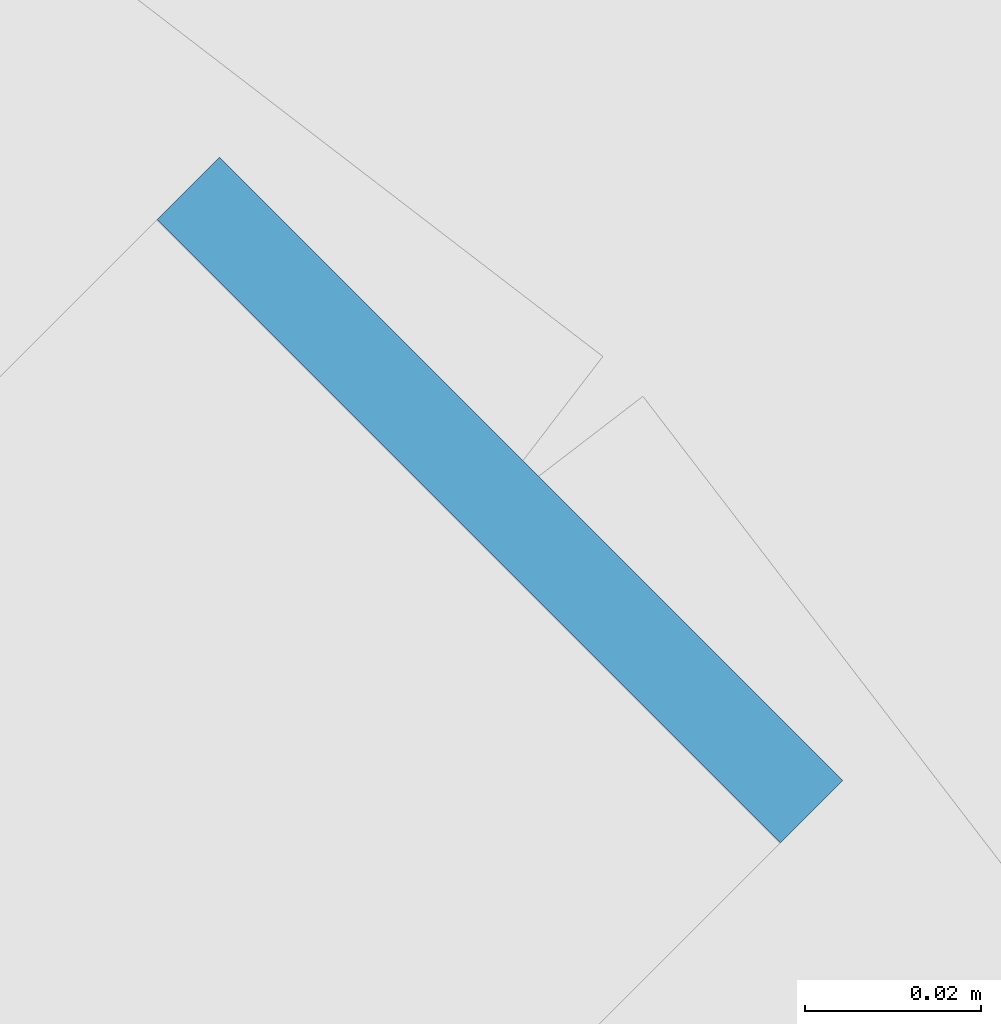
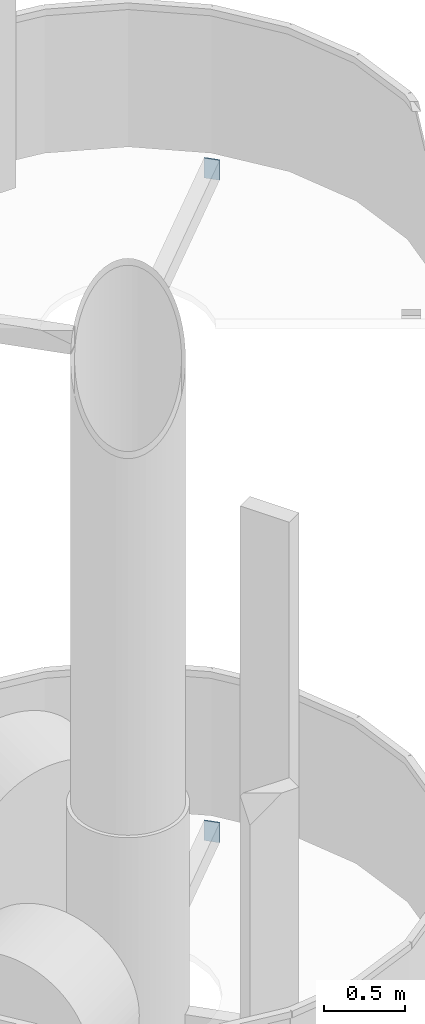
# One storey, part 22 of 25: 2 discrete accessories.
"""IFC4 building model written with IfcOpenShell, lengths in metres."""

from ifc_helpers import new_model, si_unit, direction, frame, origin, origin_2d, place, context, subcontext, project, spatial, rectangle, extrude, element, save


model = new_model("IFC4")

# Units and contexts
model_context = context("Model", 3, precision=1e-05, world=origin(), true_north=direction((0.0, 1.0)))
body_context = subcontext(model_context, "Body", "Model", "MODEL_VIEW")
ifc_project = project(units=[si_unit("LENGTHUNIT", "METRE"), si_unit("AREAUNIT", "SQUARE_METRE"), si_unit("VOLUMEUNIT", "CUBIC_METRE"), si_unit("PLANEANGLEUNIT", "RADIAN"), si_unit("MASSUNIT", "GRAM", prefix="KILO")], contexts=[model_context])

# Site, building, storey
site_placement = place(None, origin())
site = spatial("IfcSite", under=ifc_project, at=site_placement, CompositionType="ELEMENT")
building_placement = place(site_placement, origin())
building = spatial("IfcBuilding", under=site, at=building_placement, Name="Kolab Exchange Tower", CompositionType="ELEMENT")
storey_placement = place(building_placement, frame((0.0, 0.0, 301.89990234375)))
storey = spatial("IfcBuildingStorey", under=building, at=storey_placement, Name="L68", CompositionType="ELEMENT", Elevation=301.89990234375)

# Discrete accessories
for number, where, z_axis, x_axis, name in (
    (1, (1.414306640625, 15.641845703125, 42.706298828125), (0.707106781187, 0.707106781187, 0.0), (-0.707106781187, 0.707106781187, 0.0), "Mast platform arm cap plate"),
    (2, (1.414306640625, 15.641845703125, 47.706298828125), (0.707106781187, 0.707106781187, 0.0), (-0.707106781187, 0.707106781187, 0.0), "Mast platform arm cap plate"),
):
    element("IfcDiscreteAccessory", number, at=place(storey_placement, frame(where, z_axis=z_axis, x_axis=x_axis)), inside=storey, Name=name, ObjectType="END CAP PLATE", PredefinedType="USERDEFINED", context=body_context, shape_type="SweptSolid", body=[
        extrude(rectangle(XDim=0.10009765625, YDim=0.14990234375, at=origin_2d()), origin(), (0.0, 0.0, 1.0), 0.010009765625),
    ])

save(model, "model.ifc")
